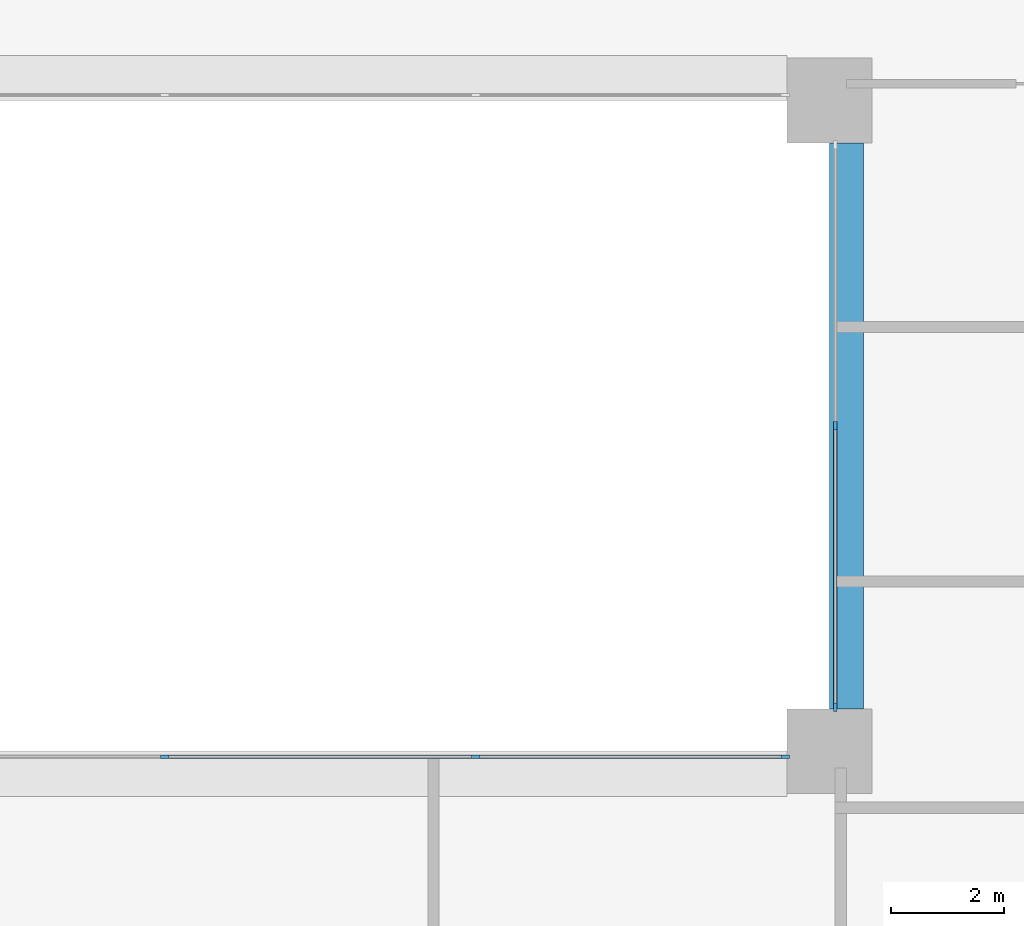
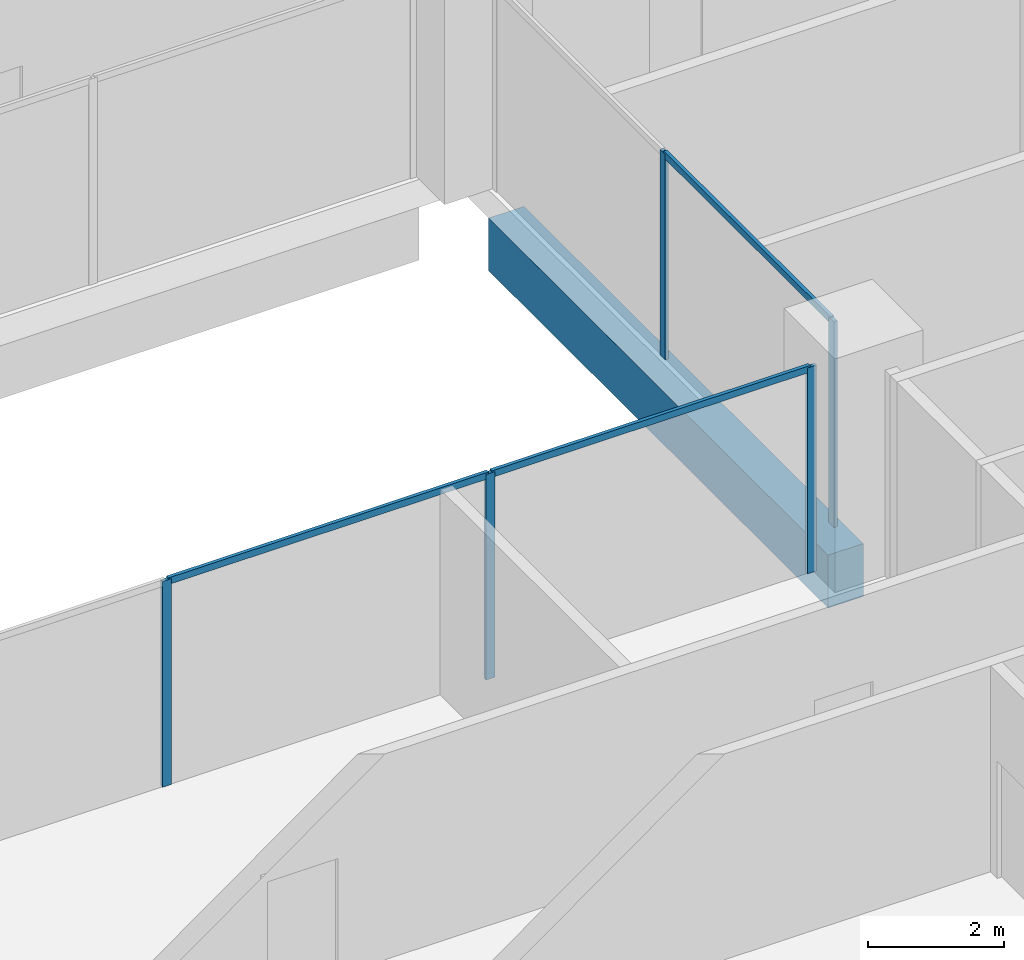
# One storey, part 5 of 20: 8 members, 1 beam, 2 elements without a shape of their own.
"""IFC4 building model written with IfcOpenShell, lengths in metres."""

import ifcopenshell
import ifcopenshell.guid

model = None  # the IFC model being written
_history = None  # IfcOwnerHistory: only IFC2X3 demands one
_inside = {}  # id of a spatial element -> (the spatial element, [elements in it])
_under = {}  # id of a project, library or spatial element -> (it, [spatial elements below it])
_declared = {}  # id of a project -> (the project, [libraries it declares])
_typed = {}  # id of a type object -> (the type object, [elements of that type])
_made_of = {}  # id of a material, layer set ... -> (it, [elements and type objects made of it])


def new_model(schema):
    """Start an empty IFC model of exactly this schema.

    Asked for "IFC4X3", IfcOpenShell would pick the latest addendum, in which some entities
    have other attributes; the version numbers below select the first issue.
    IFC2X3 requires an IfcOwnerHistory on every rooted entity: one is made here for all.
    """
    global model, _history
    if schema == "IFC4X3":
        model = ifcopenshell.file(schema_version=(4, 3, 0, 0))
    else:
        model = ifcopenshell.file(schema=schema)
    _inside.clear()
    _under.clear()
    _declared.clear()
    _typed.clear()
    _made_of.clear()
    _history = None
    if model.schema == "IFC2X3":
        org = make("IfcOrganization", Name="unknown")
        user = make(
            "IfcPersonAndOrganization",
            ThePerson=make("IfcPerson", FamilyName="unknown"),
            TheOrganization=org,
        )
        app = make(
            "IfcApplication",
            ApplicationDeveloper=org,
            Version="unknown",
            ApplicationFullName="unknown",
            ApplicationIdentifier="unknown",
        )
        _history = make(
            "IfcOwnerHistory",
            OwningUser=user,
            OwningApplication=app,
            ChangeAction="ADDED",
            CreationDate=0,
        )
    return model


def make(cls, **values):
    """One entity of the class cls with the attributes given. An attribute that is None is left unset."""
    return model.create_entity(
        cls, **{name: value for name, value in values.items() if value is not None}
    )


def rooted(cls, **values):
    """An entity with a GlobalId (a new one), such as an element, a storey or a relation."""
    return make(cls, GlobalId=ifcopenshell.guid.new(), OwnerHistory=_history, **values)


def si_unit(unit_type, name, prefix=None):
    """IfcSIUnit, for example si_unit("LENGTHUNIT", "METRE", prefix="MILLI")."""
    return make("IfcSIUnit", UnitType=unit_type, Prefix=prefix, Name=name)


def assignment(units):
    """IfcUnitAssignment: the units of a project."""
    return None if units is None else make("IfcUnitAssignment", Units=units)


def point(xyz):
    """IfcCartesianPoint."""
    return None if xyz is None else make("IfcCartesianPoint", Coordinates=xyz)


def direction(xyz):
    """IfcDirection."""
    return None if xyz is None else make("IfcDirection", DirectionRatios=xyz)


def frame(location, z_axis=None, x_axis=None):
    """IfcAxis2Placement3D, a coordinate frame: its origin and axes. An axis left out is left unset."""
    return make(
        "IfcAxis2Placement3D",
        Location=point(location),
        Axis=direction(z_axis),
        RefDirection=direction(x_axis),
    )


def frame_2d(location, x_axis=None):
    """IfcAxis2Placement2D, a coordinate frame in the plane: its origin and x axis."""
    return make(
        "IfcAxis2Placement2D", Location=point(location), RefDirection=direction(x_axis)
    )


def origin():
    """The frame at (0, 0, 0) with its axes left unset."""
    return frame((0.0, 0.0, 0.0))


def origin_2d():
    """The frame at (0, 0) in the plane with its x axis left unset."""
    return frame_2d((0.0, 0.0))


def place(relative_to, where):
    """IfcLocalPlacement: puts the frame where relative to a parent placement (None: the world)."""
    return make(
        "IfcLocalPlacement", PlacementRelTo=relative_to, RelativePlacement=where
    )


def context(
    kind, dimensions, precision=None, world=None, true_north=None, identifier=None
):
    """IfcGeometricRepresentationContext, for example the 3D "Model" context."""
    return make(
        "IfcGeometricRepresentationContext",
        ContextIdentifier=identifier,
        ContextType=kind,
        CoordinateSpaceDimension=dimensions,
        Precision=precision,
        WorldCoordinateSystem=world,
        TrueNorth=true_north,
    )


def subcontext(parent, identifier, kind, view, scale=None):
    """IfcGeometricRepresentationSubContext, for example "Body" below "Model"."""
    return make(
        "IfcGeometricRepresentationSubContext",
        ContextIdentifier=identifier,
        ContextType=kind,
        ParentContext=parent,
        TargetScale=scale,
        TargetView=view,
    )


def project(units=None, contexts=None):
    """IfcProject with its units and contexts."""
    return rooted(
        "IfcProject",
        Name="project",
        RepresentationContexts=contexts,
        UnitsInContext=assignment(units),
    )


def spatial(cls, under=None, at=None, **own):
    """A site, building, storey or space (cls), placed at a placement, below another one or the project."""
    s = rooted(cls, ObjectPlacement=at, **own)
    if under is not None:
        _under.setdefault(under.id(), (under, []))[1].append(s)
    return s


def profile(cls, at=None, kind="AREA", **sizes):
    """A parametric profile (cls). Its sizes go by their IFC names, for example OverallWidth=200.0."""
    return make(cls, ProfileType=kind, Position=at, **sizes)


def rectangle(**sizes):
    """IfcRectangleProfileDef."""
    return profile("IfcRectangleProfileDef", **sizes)


def extrude(swept, where, along, depth):
    """IfcExtrudedAreaSolid: the profile swept, set in the frame where, extruded along a direction by depth."""
    return make(
        "IfcExtrudedAreaSolid",
        SweptArea=swept,
        Position=where,
        ExtrudedDirection=direction(along),
        Depth=depth,
    )


def shape(context_of_items, identifier, shape_type, items):
    """IfcShapeRepresentation: the items that make up one representation, for example the "Body"."""
    return make(
        "IfcShapeRepresentation",
        ContextOfItems=context_of_items,
        RepresentationIdentifier=identifier,
        RepresentationType=shape_type,
        Items=items,
    )


def material(Name=None, Category=None):
    """IfcMaterial."""
    return make("IfcMaterial", Name=Name, Category=Category)


def layer(
    of_material, thickness, ventilated=None, Name=None, Category=None, Priority=None
):
    """IfcMaterialLayer: one layer of a wall or slab, of a material (None: an air gap)."""
    return make(
        "IfcMaterialLayer",
        Material=of_material,
        LayerThickness=thickness,
        IsVentilated=ventilated,
        Name=Name,
        Category=Category,
        Priority=Priority,
    )


def layer_set(layers, Name=None):
    """IfcMaterialLayerSet."""
    return make("IfcMaterialLayerSet", MaterialLayers=layers, LayerSetName=Name)


def material_profile(
    of_material, cross_section, Name=None, Category=None, Priority=None
):
    """IfcMaterialProfile: a cross section and its material."""
    return make(
        "IfcMaterialProfile",
        Name=Name,
        Material=of_material,
        Profile=cross_section,
        Priority=Priority,
        Category=Category,
    )


def profile_set(profiles, Name=None, composite=None):
    """IfcMaterialProfileSet."""
    return make(
        "IfcMaterialProfileSet",
        Name=Name,
        MaterialProfiles=profiles,
        CompositeProfile=composite,
    )


def made_of(thing, what):
    """Note that an element or type object is made of a material, layer set ...; save() writes the relation."""
    if what is not None:
        _made_of.setdefault(what.id(), (what, []))[1].append(thing)
    return thing


def type_object(cls, material=None, **own):
    """A type object (cls), such as IfcWallType, which elements share."""
    return made_of(rooted(cls, **own), material)


def element(
    cls,
    number,
    at=None,
    inside=None,
    cuts=None,
    type_object=None,
    material=None,
    context=None,
    identifier="Body",
    shape_type=None,
    held_by="IfcProductDefinitionShape",
    body=None,
    shapes=None,
    **own,
):
    """One element of the class cls, such as IfcWall. Its Tag is "e" and its number.

    at: its placement. inside: the storey or other place that contains it. cuts: it is an
    opening in that element (IfcRelVoidsElement). A single representation is given by context,
    identifier, shape_type and body (its items); several are given by shapes. held_by: the class
    of the entity that holds the representations. save() writes the other relations.
    """
    e = rooted(cls, Tag="e%d" % number, ObjectPlacement=at, **own)
    if body is not None:
        shapes = [shape(context, identifier, shape_type, body)]
    if shapes is not None:
        e.Representation = make(held_by, Representations=shapes)
    if inside is not None:
        _inside.setdefault(inside.id(), (inside, []))[1].append(e)
    if cuts is not None:
        rooted(
            "IfcRelVoidsElement", RelatingBuildingElement=cuts, RelatedOpeningElement=e
        )
    if type_object is not None:
        _typed.setdefault(type_object.id(), (type_object, []))[1].append(e)
    return made_of(e, material)


def aggregate(whole, parts):
    """IfcRelAggregates: a whole, such as a stair, and the parts it consists of."""
    return rooted("IfcRelAggregates", RelatingObject=whole, RelatedObjects=parts)


def save(model, path):
    """Write the relations noted so far, then the file.

    IfcRelAggregates (storeys below a building ...), IfcRelContainedInSpatialStructure (elements
    in a storey), IfcRelDefinesByType, IfcRelAssociatesMaterial and IfcRelDeclares: one each for
    every whole, place, type object, material and project.
    """
    for whole, parts in _under.values():
        aggregate(whole, parts)
    for where, things in _inside.values():
        rooted(
            "IfcRelContainedInSpatialStructure",
            RelatedElements=things,
            RelatingStructure=where,
        )
    for kind, things in _typed.values():
        rooted("IfcRelDefinesByType", RelatedObjects=things, RelatingType=kind)
    for what, things in _made_of.values():
        rooted("IfcRelAssociatesMaterial", RelatedObjects=things, RelatingMaterial=what)
    for by, libraries in _declared.values():
        rooted("IfcRelDeclares", RelatingContext=by, RelatedDefinitions=libraries)
    model.write(path)


model = new_model("IFC4")

# Units and contexts
model_context = context("Model", 3, precision=1e-05, world=origin(), true_north=direction((0.0, 1.0)))
body_context = subcontext(model_context, "Body", "Model", "MODEL_VIEW")
ifc_project = project(units=[si_unit("LENGTHUNIT", "METRE"), si_unit("AREAUNIT", "SQUARE_METRE"), si_unit("VOLUMEUNIT", "CUBIC_METRE"), si_unit("PLANEANGLEUNIT", "RADIAN"), si_unit("MASSUNIT", "GRAM", prefix="KILO")], contexts=[model_context])

# Site, building, storey
site_placement = place(None, origin())
site = spatial("IfcSite", under=ifc_project, at=site_placement, CompositionType="ELEMENT")
building_placement = place(site_placement, origin())
building = spatial("IfcBuilding", under=site, at=building_placement, Name="Brigalow Station Residences", CompositionType="ELEMENT")
storey_placement = place(building_placement, frame((0.0, 0.0, 73.050048828125)))
storey = spatial("IfcBuildingStorey", under=building, at=storey_placement, Name="L21", CompositionType="ELEMENT", Elevation=73.050048828125)

# Beam
ifc_material_1 = material(Name="Concrete C65", Category="concrete")
ifc_material_profile_1 = material_profile(ifc_material_1, rectangle(XDim=0.60009765625, YDim=0.949951171875, at=origin_2d()), Name="RC600x950")
ifc_profile_set_1 = profile_set([ifc_material_profile_1], Name="Concrete C65")
beam_type = type_object("IfcBeamType", Name="ATRIUM EDGE GIRDER 600x950 C65", PredefinedType="BEAM", material=ifc_profile_set_1)
beam_placement = place(storey_placement, frame((45.300048828125, 24.75, -0.97509765625), z_axis=(0.0, 1.0, 0.0), x_axis=(-1.0, 0.0, 0.0)))
element("IfcBeam", 1, at=beam_placement, inside=storey, type_object=beam_type, Name="ATRIUM EDGE GIRDER 5 L21", PredefinedType="BEAM", context=body_context, shape_type="SweptSolid", body=[
    extrude(rectangle(XDim=0.60009765625, YDim=0.949951171875, at=origin_2d()), origin(), (0.0, 0.0, 1.0), 10.0),
])

# Curtain wall, members
ifc_material_2 = material(Name="Aluminium", Category="aluminium")
ifc_layer = layer(ifc_material_2, 0.14990234375)
ifc_layer_set = layer_set([ifc_layer], Name="ATRIUM FIRE-RATED GLAZING CURTAIN WALL")
curtain_wall_type = type_object("IfcCurtainWallType", Name="ATRIUM FIRE-RATED GLAZING CURTAIN WALL", PredefinedType="NOTDEFINED", material=ifc_layer_set)
curtain_wall_1_placement = place(storey_placement, origin())
curtain_wall_1 = element("IfcCurtainWall", 2, at=curtain_wall_1_placement, inside=storey, type_object=curtain_wall_type, Name="L21/cw/atrium-S", PredefinedType="NOTDEFINED")
ifc_material_3 = material(Name="Aluminium", Category="aluminium")
ifc_material_profile_2 = material_profile(ifc_material_3, rectangle(XDim=0.06005859375, YDim=0.14990234375, at=origin_2d()), Name="ATRIUM FIRE-RATED GLAZING MULLION 60x150")
ifc_profile_set_2 = profile_set([ifc_material_profile_2], Name="Aluminium")
member_type_1 = type_object("IfcMemberType", Name="ATRIUM FIRE-RATED GLAZING MULLION 60x150", PredefinedType="MULLION", material=ifc_profile_set_2)
member_1_placement = place(storey_placement, frame((33.25, 23.89990234375, 0.0), z_axis=(0.0, 0.0, 1.0), x_axis=(0.0, 1.0, 0.0)))
member_1 = element("IfcMember", 3, at=member_1_placement, type_object=member_type_1, Name="L21/cw/atrium-S/M01", PredefinedType="MULLION", context=body_context, shape_type="SweptSolid", body=[
    extrude(rectangle(XDim=0.06005859375, YDim=0.14990234375, at=origin_2d()), origin(), (0.0, 0.0, 1.0), 3.699951171875),
])
member_2_placement = place(storey_placement, frame((38.75, 23.89990234375, 0.0), z_axis=(0.0, 0.0, 1.0), x_axis=(0.0, 1.0, 0.0)))
member_2 = element("IfcMember", 4, at=member_2_placement, type_object=member_type_1, Name="L21/cw/atrium-S/M02", PredefinedType="MULLION", context=body_context, shape_type="SweptSolid", body=[
    extrude(rectangle(XDim=0.06005859375, YDim=0.14990234375, at=origin_2d()), origin(), (0.0, 0.0, 1.0), 3.699951171875),
])
member_3_placement = place(storey_placement, frame((44.219970703125, 23.89990234375, 0.0), z_axis=(0.0, 0.0, 1.0), x_axis=(0.0, 1.0, 0.0)))
member_3 = element("IfcMember", 5, at=member_3_placement, type_object=member_type_1, Name="L21/cw/atrium-S/M03", PredefinedType="MULLION", context=body_context, shape_type="SweptSolid", body=[
    extrude(rectangle(XDim=0.06005859375, YDim=0.14990234375, at=origin_2d()), origin(), (0.0, 0.0, 1.0), 3.699951171875),
])

curtain_wall_2_placement = place(storey_placement, origin())
curtain_wall_2 = element("IfcCurtainWall", 6, at=curtain_wall_2_placement, inside=storey, type_object=curtain_wall_type, Name="L21/cw/atrium-E", PredefinedType="NOTDEFINED")
member_4_placement = place(storey_placement, frame((45.10009765625, 24.780029296875, 0.0), z_axis=(0.0, 0.0, 1.0), x_axis=(-1.0, 0.0, 0.0)))
member_4 = element("IfcMember", 7, at=member_4_placement, type_object=member_type_1, Name="L21/cw/atrium-E/M00", PredefinedType="MULLION", context=body_context, shape_type="SweptSolid", body=[
    extrude(rectangle(XDim=0.06005859375, YDim=0.14990234375, at=origin_2d()), origin(), (0.0, 0.0, 1.0), 3.699951171875),
])
member_5_placement = place(storey_placement, frame((45.10009765625, 29.75, 0.0), z_axis=(0.0, 0.0, 1.0), x_axis=(-1.0, 0.0, 0.0)))
member_5 = element("IfcMember", 8, at=member_5_placement, type_object=member_type_1, Name="L21/cw/atrium-E/M01", PredefinedType="MULLION", context=body_context, shape_type="SweptSolid", body=[
    extrude(rectangle(XDim=0.06005859375, YDim=0.14990234375, at=origin_2d()), origin(), (0.0, 0.0, 1.0), 3.699951171875),
])

# Member
ifc_material_4 = material(Name="Aluminium", Category="aluminium")
ifc_material_profile_3 = material_profile(ifc_material_4, rectangle(XDim=0.06005859375, YDim=0.1201171875, at=origin_2d()), Name="ATRIUM FIRE-RATED GLAZING TRANSOM 60x120")
ifc_profile_set_3 = profile_set([ifc_material_profile_3], Name="Aluminium")
member_type_2 = type_object("IfcMemberType", Name="ATRIUM FIRE-RATED GLAZING TRANSOM 60x120", PredefinedType="USERDEFINED", material=ifc_profile_set_3)
member_6_placement = place(storey_placement, frame((33.280029296875, 23.89990234375, 3.669921875), z_axis=(1.0, 0.0, 0.0), x_axis=(0.0, 1.0, 0.0)))
member_6 = element("IfcMember", 9, at=member_6_placement, type_object=member_type_2, Name="L21/cw/atrium-S/T01-00", ObjectType="TRANSOM", PredefinedType="USERDEFINED", context=body_context, shape_type="SweptSolid", body=[
    extrude(rectangle(XDim=0.06005859375, YDim=0.1201171875, at=origin_2d()), origin(), (0.0, 0.0, 1.0), 5.43994140625),
])

member_7_placement = place(storey_placement, frame((38.780029296875, 23.89990234375, 3.669921875), z_axis=(1.0, 0.0, 0.0), x_axis=(0.0, 1.0, 0.0)))
member_7 = element("IfcMember", 10, at=member_7_placement, type_object=member_type_2, Name="L21/cw/atrium-S/T02-00", ObjectType="TRANSOM", PredefinedType="USERDEFINED", context=body_context, shape_type="SweptSolid", body=[
    extrude(rectangle(XDim=0.06005859375, YDim=0.1201171875, at=origin_2d()), origin(), (0.0, 0.0, 1.0), 5.409912109375),
])

aggregate(curtain_wall_1, [member_1, member_2, member_3, member_6, member_7])

member_8_placement = place(storey_placement, frame((45.10009765625, 24.81005859375, 3.669921875), z_axis=(0.0, 1.0, 0.0), x_axis=(-1.0, 0.0, 0.0)))
member_8 = element("IfcMember", 11, at=member_8_placement, type_object=member_type_2, Name="L21/cw/atrium-E/T00-00", ObjectType="TRANSOM", PredefinedType="USERDEFINED", context=body_context, shape_type="SweptSolid", body=[
    extrude(rectangle(XDim=0.06005859375, YDim=0.1201171875, at=origin_2d()), origin(), (0.0, 0.0, 1.0), 4.909912109375),
])

aggregate(curtain_wall_2, [member_4, member_5, member_8])

save(model, "model.ifc")
